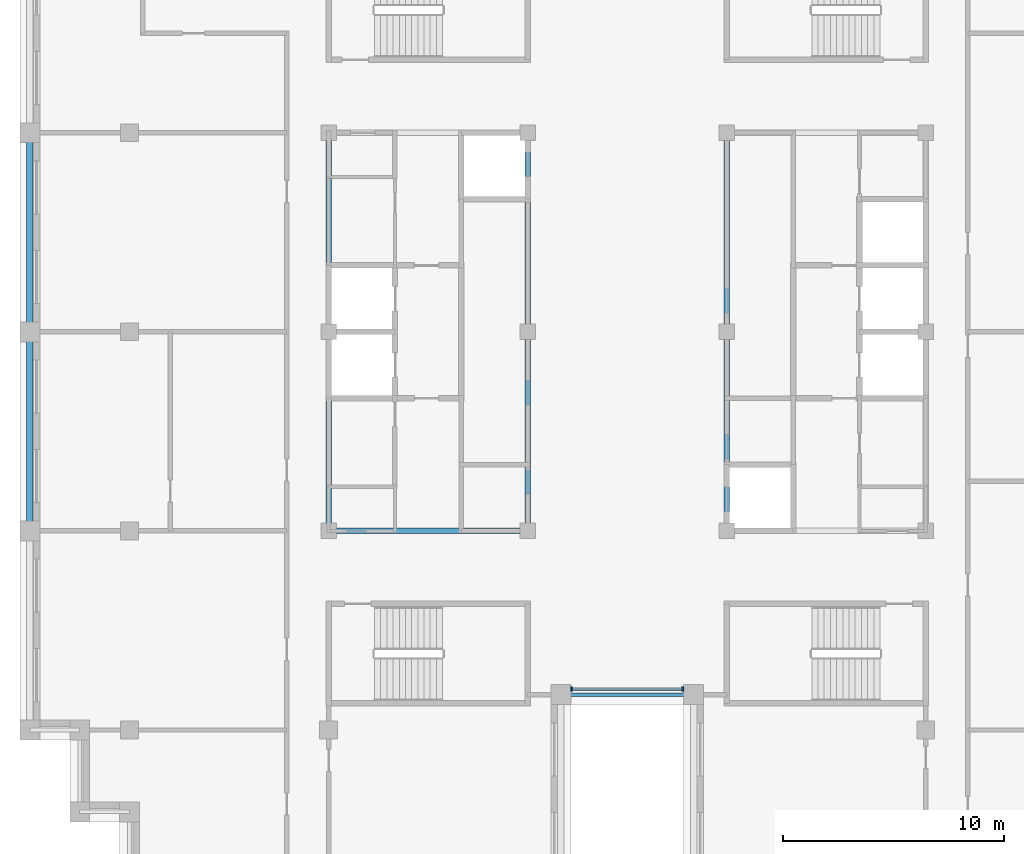
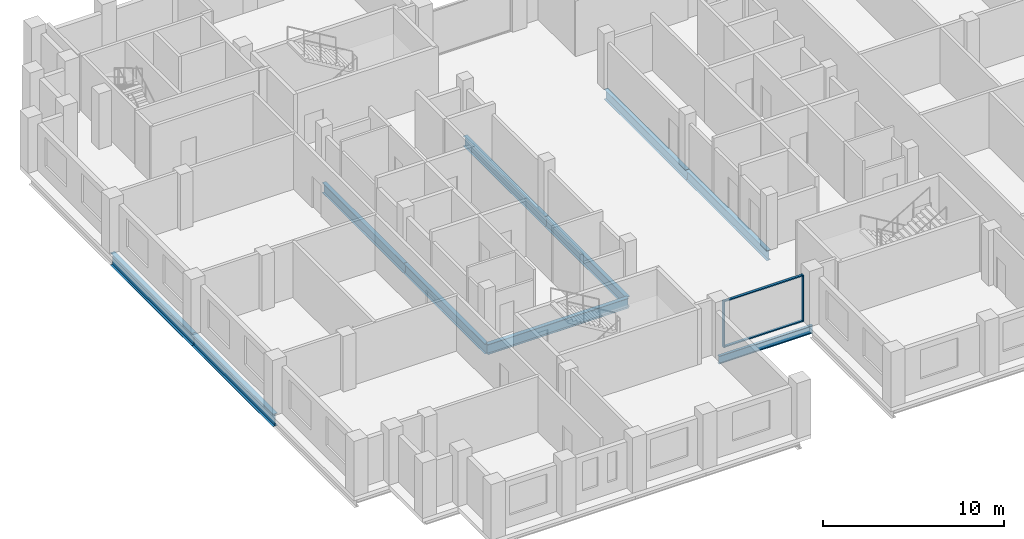
# One storey, part 2 of 13: 10 beams, 4 members, 1 element without a shape of its own.
"""IFC4 building model written with IfcOpenShell, lengths in metres."""

from ifc_helpers import new_model, si_unit, direction, frame, origin, origin_2d, place, context, subcontext, project, spatial, rectangle, i_section, extrude, material, layer, layer_set, material_profile, profile_set, type_object, element, aggregate, save


model = new_model("IFC4")

# Units and contexts
model_context = context("Model", 3, precision=1e-05, world=origin(), true_north=direction((0.0, 1.0)))
body_context = subcontext(model_context, "Body", "Model", "MODEL_VIEW")
ifc_project = project(units=[si_unit("LENGTHUNIT", "METRE"), si_unit("AREAUNIT", "SQUARE_METRE"), si_unit("VOLUMEUNIT", "CUBIC_METRE"), si_unit("PLANEANGLEUNIT", "RADIAN"), si_unit("MASSUNIT", "GRAM", prefix="KILO")], contexts=[model_context])

# Site, building, storey
site_placement = place(None, origin())
site = spatial("IfcSite", under=ifc_project, at=site_placement, CompositionType="ELEMENT")
building_placement = place(site_placement, origin())
building = spatial("IfcBuilding", under=site, at=building_placement, Name="Corbelhall Arena Tower", CompositionType="ELEMENT")
storey_placement = place(building_placement, frame((0.0, 0.0, 334.0)))
storey = spatial("IfcBuildingStorey", under=building, at=storey_placement, Name="L73", CompositionType="ELEMENT", Elevation=334.0)

# Curtain wall, members
ifc_material_1 = material(Name="Aluminium black anodised", Category="aluminium")
ifc_layer = layer(ifc_material_1, 0.199951171875)
ifc_layer_set = layer_set([ifc_layer], Name="EV-CW1 Slot back wall")
curtain_wall_type = type_object("IfcCurtainWallType", Name="EV-CW1 Slot back wall", PredefinedType="NOTDEFINED", material=ifc_layer_set)
curtain_wall_placement = place(storey_placement, origin())
curtain_wall = element("IfcCurtainWall", 1, at=curtain_wall_placement, inside=storey, type_object=curtain_wall_type, Name="Curtain wall CW1", PredefinedType="NOTDEFINED")
ifc_material_profile_1 = material_profile(ifc_material_1, rectangle(XDim=0.199951171875, YDim=0.074951171875, at=origin_2d()))
ifc_profile_set_1 = profile_set([ifc_material_profile_1], Name="Aluminium black anodised")
member_type_1 = type_object("IfcMemberType", Name="EV-CW1-MULLION", PredefinedType="MULLION", material=ifc_profile_set_1)
member_1_placement = place(storey_placement, frame((-2.512451171875, -16.14990234375, 0.0), z_axis=(0.0, 0.0, 1.0), x_axis=(0.0, 1.0, 0.0)))
member_1 = element("IfcMember", 2, at=member_1_placement, type_object=member_type_1, Name="CW1 mullion 1", PredefinedType="MULLION", context=body_context, shape_type="SweptSolid", body=[
    extrude(rectangle(XDim=0.199951171875, YDim=0.074951171875, at=origin_2d()), origin(), (0.0, 0.0, 1.0), 3.139892578125),
])
member_2_placement = place(storey_placement, frame((2.512451171875, -16.14990234375, 0.0), z_axis=(0.0, 0.0, 1.0), x_axis=(0.0, 1.0, 0.0)))
member_2 = element("IfcMember", 3, at=member_2_placement, type_object=member_type_1, Name="CW1 mullion 2", PredefinedType="MULLION", context=body_context, shape_type="SweptSolid", body=[
    extrude(rectangle(XDim=0.199951171875, YDim=0.074951171875, at=origin_2d()), origin(), (0.0, 0.0, 1.0), 3.139892578125),
])
ifc_material_profile_2 = material_profile(ifc_material_1, rectangle(XDim=0.14990234375, YDim=0.074951171875, at=origin_2d()))
ifc_profile_set_2 = profile_set([ifc_material_profile_2], Name="Aluminium black anodised")
member_type_2 = type_object("IfcMemberType", Name="EV-CW1-TRANSOM", PredefinedType="USERDEFINED", material=ifc_profile_set_2)
member_3_placement = place(storey_placement, frame((-2.47509765625, -16.14990234375, 0.03759765625), z_axis=(1.0, 0.0, 0.0), x_axis=(0.0, 1.0, 0.0)))
member_3 = element("IfcMember", 4, at=member_3_placement, type_object=member_type_2, Name="CW1 transom 1.1", ObjectType="transom", PredefinedType="USERDEFINED", context=body_context, shape_type="SweptSolid", body=[
    extrude(rectangle(XDim=0.14990234375, YDim=0.074951171875, at=origin_2d()), origin(), (0.0, 0.0, 1.0), 4.9501953125),
])
member_4_placement = place(storey_placement, frame((-2.47509765625, -16.14990234375, 3.1025390625), z_axis=(1.0, 0.0, 0.0), x_axis=(0.0, 1.0, 0.0)))
member_4 = element("IfcMember", 5, at=member_4_placement, type_object=member_type_2, Name="CW1 transom 1.2", ObjectType="transom", PredefinedType="USERDEFINED", context=body_context, shape_type="SweptSolid", body=[
    extrude(rectangle(XDim=0.14990234375, YDim=0.074951171875, at=origin_2d()), origin(), (0.0, 0.0, 1.0), 4.9501953125),
])
aggregate(curtain_wall, [member_1, member_2, member_3, member_4])

# Beams
ifc_material_2 = material(Name="Steel ASTM A992 Gr50", Category="steel")
ifc_material_profile_3 = material_profile(ifc_material_2, i_section(OverallWidth=0.25390625, OverallDepth=0.67822265625, WebThickness=0.01171875, FlangeThickness=0.016357421875, at=origin_2d()))
ifc_profile_set_3 = profile_set([ifc_material_profile_3], Name="Steel ASTM A992 Gr50")
beam_type_1 = type_object("IfcBeamType", Name="ST-BEAM-W27x84", PredefinedType="BEAM", material=ifc_profile_set_3)
for number, where, z_axis, x_axis, name in (
    (6, (-13.5, -9.0, -0.59912109375), (0.0, 1.0, 0.0), (-1.0, 0.0, 0.0), "Beam CEW 1"),
    (7, (-13.5, 0.0, -0.59912109375), (0.0, 1.0, 0.0), (-1.0, 0.0, 0.0), "Beam CEW 2"),
    (8, (-4.5, -9.0, -0.59912109375), (0.0, 1.0, 0.0), (-1.0, 0.0, 0.0), "Beam CEW 3"),
    (9, (-4.5, 0.0, -0.59912109375), (0.0, 1.0, 0.0), (-1.0, 0.0, 0.0), "Beam CEW 4"),
    (10, (-13.5, -9.0, -0.59912109375), (1.0, 0.0, 0.0), (0.0, 1.0, 0.0), "Beam CEW 5"),
    (11, (4.5, -9.0, -0.59912109375), (0.0, 1.0, 0.0), (-1.0, 0.0, 0.0), "Beam CEE 7"),
    (12, (4.5, 0.0, -0.59912109375), (0.0, 1.0, 0.0), (-1.0, 0.0, 0.0), "Beam CEE 8"),
):
    element("IfcBeam", number, at=place(storey_placement, frame(where, z_axis=z_axis, x_axis=x_axis)), inside=storey, type_object=beam_type_1, Name=name, PredefinedType="BEAM", context=body_context, shape_type="SweptSolid", body=[
        extrude(i_section(OverallWidth=0.25390625, OverallDepth=0.67822265625, WebThickness=0.01171875, FlangeThickness=0.016357421875, at=origin_2d()), origin(), (0.0, 0.0, 1.0), 9.0),
    ])
ifc_material_profile_4 = material_profile(ifc_material_2, i_section(OverallWidth=0.16650390625, OverallDepth=0.535888671875, WebThickness=0.01025390625, FlangeThickness=0.0166015625, at=origin_2d()))
ifc_profile_set_4 = profile_set([ifc_material_profile_4], Name="Steel ASTM A992 Gr50")
beam_type_2 = type_object("IfcBeamType", Name="ST-SPANDREL-W21x57", PredefinedType="SPANDREL", material=ifc_profile_set_4)
beam_placement = place(storey_placement, frame((3.0, -16.39990234375, -0.528076171875), z_axis=(-1.0, 0.0, 0.0), x_axis=(0.0, -1.0, 0.0)))
element("IfcBeam", 13, at=beam_placement, inside=storey, type_object=beam_type_2, Name="Beam SP 33", PredefinedType="SPANDREL", context=body_context, shape_type="SweptSolid", body=[
    extrude(i_section(OverallWidth=0.16650390625, OverallDepth=0.535888671875, WebThickness=0.01025390625, FlangeThickness=0.0166015625, at=origin_2d()), origin(), (0.0, 0.0, 1.0), 6.0),
])
ifc_material_profile_5 = material_profile(ifc_material_2, i_section(OverallWidth=0.2919921875, OverallDepth=0.845703125, WebThickness=0.015380859375, FlangeThickness=0.0244140625, at=origin_2d()))
ifc_profile_set_5 = profile_set([ifc_material_profile_5], Name="Steel ASTM A992 Gr50")
beam_type_3 = type_object("IfcBeamType", Name="ST-SPANDREL-W33x141", PredefinedType="SPANDREL", material=ifc_profile_set_5)
for number, where, z_axis, x_axis, name in (
    (14, (-27.0, 0.0, -0.682861328125), (0.0, 1.0, 0.0), (-1.0, 0.0, 0.0), "Beam SP 26"),
    (15, (-27.0, -9.0, -0.682861328125), (0.0, 1.0, 0.0), (-1.0, 0.0, 0.0), "Beam SP 29"),
):
    element("IfcBeam", number, at=place(storey_placement, frame(where, z_axis=z_axis, x_axis=x_axis)), inside=storey, type_object=beam_type_3, Name=name, PredefinedType="SPANDREL", context=body_context, shape_type="SweptSolid", body=[
        extrude(i_section(OverallWidth=0.2919921875, OverallDepth=0.845703125, WebThickness=0.015380859375, FlangeThickness=0.0244140625, at=origin_2d()), origin(), (0.0, 0.0, 1.0), 9.0),
    ])

save(model, "model.ifc")
